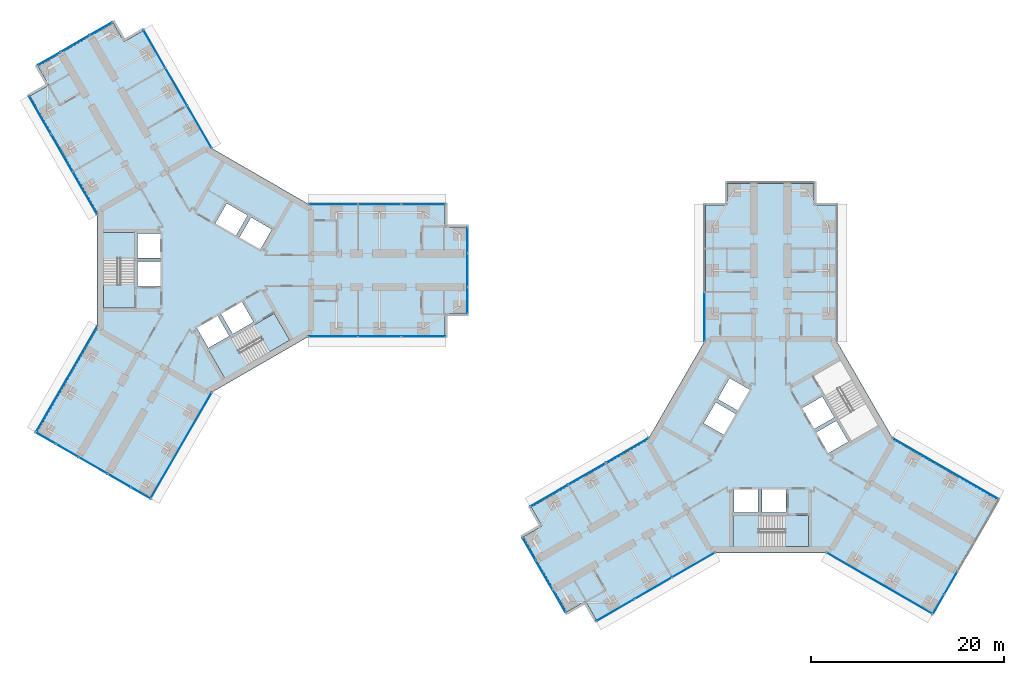
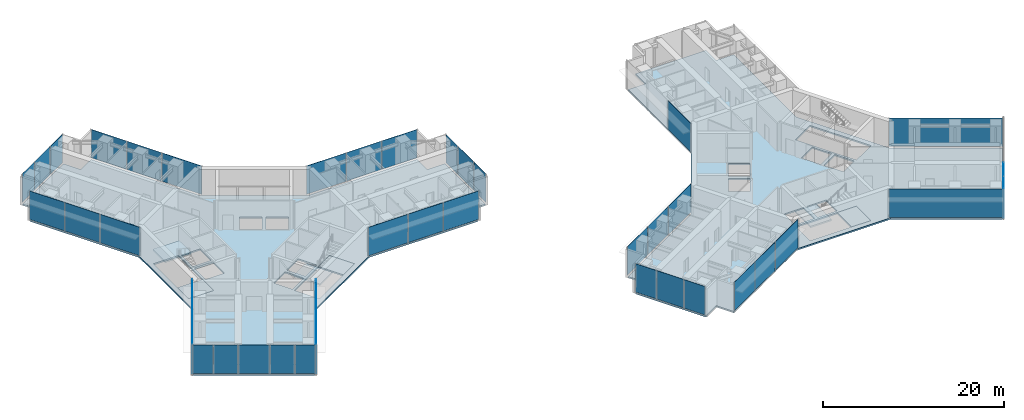
# One storey, part 13 of 22: 39 plates, 8 slabs, 19 elements without a shape of their own.
"""IFC4 building model written with IfcOpenShell, lengths in metres."""

from ifc_helpers import new_model, si_unit, direction, frame, origin, origin_2d, place, context, subcontext, project, spatial, polyline, rectangle, outline, extrude, material, layer, layer_set, type_object, element, aggregate, save


model = new_model("IFC4")

# Units and contexts
model_context = context("Model", 3, precision=1e-05, world=origin(), true_north=direction((0.0, 1.0)))
body_context = subcontext(model_context, "Body", "Model", "MODEL_VIEW")
ifc_project = project(units=[si_unit("LENGTHUNIT", "METRE"), si_unit("AREAUNIT", "SQUARE_METRE"), si_unit("VOLUMEUNIT", "CUBIC_METRE"), si_unit("PLANEANGLEUNIT", "RADIAN"), si_unit("MASSUNIT", "GRAM", prefix="KILO")], contexts=[model_context])

# Site, building, storey
site_placement = place(None, origin())
site = spatial("IfcSite", under=ifc_project, at=site_placement, CompositionType="ELEMENT")
building_placement = place(site_placement, origin())
building = spatial("IfcBuilding", under=site, at=building_placement, Name="Upepo Twin Towers", CompositionType="ELEMENT")
storey_placement = place(building_placement, frame((0.0, 0.0, 129.5)))
storey = spatial("IfcBuildingStorey", under=building, at=storey_placement, Name="L31", CompositionType="ELEMENT", Elevation=129.5)

# Curtain wall, plates
ifc_material_1 = material(Name="Aluminium and fritted glass", Category="aluminium")
curtain_wall_type = type_object("IfcCurtainWallType", Name="Tower curtain wall TW2, fritted glass", PredefinedType="NOTDEFINED", material=ifc_material_1)
curtain_wall_1_placement = place(storey_placement, origin())
curtain_wall_1 = element("IfcCurtainWall", 1, at=curtain_wall_1_placement, inside=storey, type_object=curtain_wall_type, Name="T1 L31 wing A flank L curtain wall", PredefinedType="NOTDEFINED")
ifc_material_2 = material(Name="Ceramic-fritted laminated glass", Category="glass")
ifc_layer_1 = layer(ifc_material_2, 0.031982421875)
ifc_layer_set_1 = layer_set([ifc_layer_1], Name="Fritted glass panel, 40 per cent dot frit, 32 mm double glazed")
plate_type_1 = type_object("IfcPlateType", Name="Fritted glass panel, 40 per cent dot frit, 32 mm double glazed", PredefinedType="CURTAIN_PANEL", material=ifc_layer_set_1)
plate_1_placement = place(storey_placement, frame((13.184814453125, 6.85009765625, 0.14990234375), z_axis=(0.0, 0.0, 1.0), x_axis=(1.0, 0.0, 0.0)))
plate_1 = element("IfcPlate", 2, at=plate_1_placement, type_object=plate_type_1, Name="T1 L31 wing A flank L curtain wall panel 1", PredefinedType="CURTAIN_PANEL", context=body_context, shape_type="SweptSolid", body=[
    extrude(rectangle(XDim=5.0654296875, YDim=0.031982421875, at=origin_2d()), origin(), (0.0, 0.0, 1.0), 3.85009765625),
])
plate_2_placement = place(storey_placement, frame((18.0, 6.85009765625, 0.14990234375), z_axis=(0.0, 0.0, 1.0), x_axis=(1.0, 0.0, 0.0)))
plate_2 = element("IfcPlate", 3, at=plate_2_placement, type_object=plate_type_1, Name="T1 L31 wing A flank L curtain wall panel 2", PredefinedType="CURTAIN_PANEL", context=body_context, shape_type="SweptSolid", body=[
    extrude(rectangle(XDim=4.43505859375, YDim=0.031982421875, at=origin_2d()), origin(), (0.0, 0.0, 1.0), 3.85009765625),
])
plate_3_placement = place(storey_placement, frame((22.53369140625, 6.85009765625, 0.14990234375), z_axis=(0.0, 0.0, 1.0), x_axis=(1.0, 0.0, 0.0)))
plate_3 = element("IfcPlate", 4, at=plate_3_placement, type_object=plate_type_1, Name="T1 L31 wing A flank L curtain wall panel 3", PredefinedType="CURTAIN_PANEL", context=body_context, shape_type="SweptSolid", body=[
    extrude(rectangle(XDim=4.50244140625, YDim=0.031982421875, at=origin_2d()), origin(), (0.0, 0.0, 1.0), 3.85009765625),
])
aggregate(curtain_wall_1, [plate_1, plate_2, plate_3])

curtain_wall_2_placement = place(storey_placement, origin())
curtain_wall_2 = element("IfcCurtainWall", 5, at=curtain_wall_2_placement, inside=storey, type_object=curtain_wall_type, Name="T1 L31 wing A flank R curtain wall", PredefinedType="NOTDEFINED")
plate_4_placement = place(storey_placement, frame((22.53369140625, -6.85009765625, 0.14990234375), z_axis=(0.0, 0.0, 1.0), x_axis=(-1.0, 0.0, 0.0)))
plate_4 = element("IfcPlate", 6, at=plate_4_placement, type_object=plate_type_1, Name="T1 L31 wing A flank R curtain wall panel 1", PredefinedType="CURTAIN_PANEL", context=body_context, shape_type="SweptSolid", body=[
    extrude(rectangle(XDim=4.50244140625, YDim=0.031982421875, at=origin_2d()), origin(), (0.0, 0.0, 1.0), 3.85009765625),
])
plate_5_placement = place(storey_placement, frame((18.0, -6.85009765625, 0.14990234375), z_axis=(0.0, 0.0, 1.0), x_axis=(-1.0, 0.0, 0.0)))
plate_5 = element("IfcPlate", 7, at=plate_5_placement, type_object=plate_type_1, Name="T1 L31 wing A flank R curtain wall panel 2", PredefinedType="CURTAIN_PANEL", context=body_context, shape_type="SweptSolid", body=[
    extrude(rectangle(XDim=4.43505859375, YDim=0.031982421875, at=origin_2d()), origin(), (0.0, 0.0, 1.0), 3.85009765625),
])
plate_6_placement = place(storey_placement, frame((13.184814453125, -6.85009765625, 0.14990234375), z_axis=(0.0, 0.0, 1.0), x_axis=(-1.0, 0.0, 0.0)))
plate_6 = element("IfcPlate", 8, at=plate_6_placement, type_object=plate_type_1, Name="T1 L31 wing A flank R curtain wall panel 3", PredefinedType="CURTAIN_PANEL", context=body_context, shape_type="SweptSolid", body=[
    extrude(rectangle(XDim=5.0654296875, YDim=0.031982421875, at=origin_2d()), origin(), (0.0, 0.0, 1.0), 3.85009765625),
])
aggregate(curtain_wall_2, [plate_4, plate_5, plate_6])

# Curtain wall, plate
curtain_wall_3_placement = place(storey_placement, origin())
curtain_wall_3 = element("IfcCurtainWall", 9, at=curtain_wall_3_placement, inside=storey, type_object=curtain_wall_type, Name="T1 L31 wing A nose curtain wall", PredefinedType="NOTDEFINED")
plate_7_placement = place(storey_placement, frame((27.10009765625, 0.0, 0.14990234375), z_axis=(0.0, 0.0, 1.0), x_axis=(0.0, 1.0, 0.0)))
plate_7 = element("IfcPlate", 10, at=plate_7_placement, type_object=plate_type_1, Name="T1 L31 wing A nose curtain wall panel 2", PredefinedType="CURTAIN_PANEL", context=body_context, shape_type="SweptSolid", body=[
    extrude(rectangle(XDim=3.43505859375, YDim=0.031982421875, at=origin_2d()), origin(), (0.0, 0.0, 1.0), 3.85009765625),
])

# Curtain wall, plates
curtain_wall_4_placement = place(storey_placement, origin())
curtain_wall_4 = element("IfcCurtainWall", 11, at=curtain_wall_4_placement, inside=storey, type_object=curtain_wall_type, Name="T1 L31 wing B flank L curtain wall", PredefinedType="NOTDEFINED")
plate_8_placement = place(storey_placement, frame((-12.524658203125, 7.993408203125, 0.14990234375), z_axis=(0.0, 0.0, 1.0), x_axis=(-0.500000010308, 0.866025397833, 0.0)))
plate_8 = element("IfcPlate", 12, at=plate_8_placement, type_object=plate_type_1, Name="T1 L31 wing B flank L curtain wall panel 1", PredefinedType="CURTAIN_PANEL", context=body_context, shape_type="SweptSolid", body=[
    extrude(rectangle(XDim=5.0654296875, YDim=0.031982421875, at=origin_2d()), origin(), (0.0, 0.0, 1.0), 3.85009765625),
])
plate_9_placement = place(storey_placement, frame((-14.932373046875, 12.16357421875, 0.14990234375), z_axis=(0.0, 0.0, 1.0), x_axis=(-0.500000010308, 0.866025397833, 0.0)))
plate_9 = element("IfcPlate", 13, at=plate_9_placement, type_object=plate_type_1, Name="T1 L31 wing B flank L curtain wall panel 2", PredefinedType="CURTAIN_PANEL", context=body_context, shape_type="SweptSolid", body=[
    extrude(rectangle(XDim=4.43505859375, YDim=0.031982421875, at=origin_2d()), origin(), (0.0, 0.0, 1.0), 3.85009765625),
])
plate_10_placement = place(storey_placement, frame((-17.19921875, 16.08984375, 0.14990234375), z_axis=(0.0, 0.0, 1.0), x_axis=(-0.500000010308, 0.866025397833, 0.0)))
plate_10 = element("IfcPlate", 14, at=plate_10_placement, type_object=plate_type_1, Name="T1 L31 wing B flank L curtain wall panel 3", PredefinedType="CURTAIN_PANEL", context=body_context, shape_type="SweptSolid", body=[
    extrude(rectangle(XDim=4.50244140625, YDim=0.031982421875, at=origin_2d()), origin(), (0.0, 0.0, 1.0), 3.85009765625),
])
aggregate(curtain_wall_4, [plate_8, plate_9, plate_10])

curtain_wall_5_placement = place(storey_placement, origin())
curtain_wall_5 = element("IfcCurtainWall", 15, at=curtain_wall_5_placement, inside=storey, type_object=curtain_wall_type, Name="T1 L31 wing B flank R curtain wall", PredefinedType="NOTDEFINED")
plate_11_placement = place(storey_placement, frame((-5.334716796875, 22.939697265625, 0.14990234375), z_axis=(0.0, 0.0, 1.0), x_axis=(0.500000010308, -0.866025397833, 0.0)))
plate_11 = element("IfcPlate", 16, at=plate_11_placement, type_object=plate_type_1, Name="T1 L31 wing B flank R curtain wall panel 1", PredefinedType="CURTAIN_PANEL", context=body_context, shape_type="SweptSolid", body=[
    extrude(rectangle(XDim=4.50244140625, YDim=0.031982421875, at=origin_2d()), origin(), (0.0, 0.0, 1.0), 3.85009765625),
])
plate_12_placement = place(storey_placement, frame((-3.067626953125, 19.013427734375, 0.14990234375), z_axis=(0.0, 0.0, 1.0), x_axis=(0.500000010308, -0.866025397833, 0.0)))
plate_12 = element("IfcPlate", 17, at=plate_12_placement, type_object=plate_type_1, Name="T1 L31 wing B flank R curtain wall panel 2", PredefinedType="CURTAIN_PANEL", context=body_context, shape_type="SweptSolid", body=[
    extrude(rectangle(XDim=4.43505859375, YDim=0.031982421875, at=origin_2d()), origin(), (0.0, 0.0, 1.0), 3.85009765625),
])
plate_13_placement = place(storey_placement, frame((-0.66015625, 14.84326171875, 0.14990234375), z_axis=(0.0, 0.0, 1.0), x_axis=(0.500000010308, -0.866025397833, 0.0)))
plate_13 = element("IfcPlate", 18, at=plate_13_placement, type_object=plate_type_1, Name="T1 L31 wing B flank R curtain wall panel 3", PredefinedType="CURTAIN_PANEL", context=body_context, shape_type="SweptSolid", body=[
    extrude(rectangle(XDim=5.0654296875, YDim=0.031982421875, at=origin_2d()), origin(), (0.0, 0.0, 1.0), 3.85009765625),
])
aggregate(curtain_wall_5, [plate_11, plate_12, plate_13])

# Curtain wall, plate
curtain_wall_6_placement = place(storey_placement, origin())
curtain_wall_6 = element("IfcCurtainWall", 19, at=curtain_wall_6_placement, inside=storey, type_object=curtain_wall_type, Name="T1 L31 wing B nose curtain wall", PredefinedType="NOTDEFINED")
plate_14_placement = place(storey_placement, frame((-13.550048828125, 23.46923828125, 0.14990234375), z_axis=(0.0, 0.0, 1.0), x_axis=(-0.866025386174, -0.500000030502, 0.0)))
plate_14 = element("IfcPlate", 20, at=plate_14_placement, type_object=plate_type_1, Name="T1 L31 wing B nose curtain wall panel 2", PredefinedType="CURTAIN_PANEL", context=body_context, shape_type="SweptSolid", body=[
    extrude(rectangle(XDim=3.43505859375, YDim=0.031982421875, at=origin_2d()), origin(), (0.0, 0.0, 1.0), 3.85009765625),
])

curtain_wall_7_placement = place(storey_placement, origin())
curtain_wall_7 = element("IfcCurtainWall", 21, at=curtain_wall_7_placement, inside=storey, type_object=curtain_wall_type, Name="T1 L31 wing C flank L curtain wall", PredefinedType="NOTDEFINED")
plate_15_placement = place(storey_placement, frame((-2.552001953125, -18.1201171875, 0.14990234375), z_axis=(0.0, 0.0, 1.0), x_axis=(-0.50000000792, -0.866025399212, 0.0)))
plate_15 = element("IfcPlate", 22, at=plate_15_placement, type_object=plate_type_1, Name="T1 L31 wing C flank L curtain wall panel 1", PredefinedType="CURTAIN_PANEL", context=body_context, shape_type="SweptSolid", body=[
    extrude(rectangle(XDim=12.6328125, YDim=0.031982421875, at=origin_2d()), origin(), (0.0, 0.0, 1.0), 3.85009765625),
])
aggregate(curtain_wall_7, [plate_15])

curtain_wall_8_placement = place(storey_placement, origin())
curtain_wall_8 = element("IfcCurtainWall", 23, at=curtain_wall_8_placement, inside=storey, type_object=curtain_wall_type, Name="T1 L31 wing C flank R curtain wall", PredefinedType="NOTDEFINED")
plate_16_placement = place(storey_placement, frame((-14.41650390625, -11.270263671875, 0.14990234375), z_axis=(0.0, 0.0, 1.0), x_axis=(0.50000000792, 0.866025399212, 0.0)))
plate_16 = element("IfcPlate", 24, at=plate_16_placement, type_object=plate_type_1, Name="T1 L31 wing C flank R curtain wall panel 1", PredefinedType="CURTAIN_PANEL", context=body_context, shape_type="SweptSolid", body=[
    extrude(rectangle(XDim=12.6328125, YDim=0.031982421875, at=origin_2d()), origin(), (0.0, 0.0, 1.0), 3.85009765625),
])
aggregate(curtain_wall_8, [plate_16])

# Curtain wall, plates
curtain_wall_9_placement = place(storey_placement, origin())
curtain_wall_9 = element("IfcCurtainWall", 25, at=curtain_wall_9_placement, inside=storey, type_object=curtain_wall_type, Name="T1 L31 wing C nose curtain wall", PredefinedType="NOTDEFINED")
plate_17_placement = place(storey_placement, frame((-14.38134765625, -18.6591796875, 0.14990234375), z_axis=(0.0, 0.0, 1.0), x_axis=(0.866025419745, -0.499999972355, 0.0)))
plate_17 = element("IfcPlate", 26, at=plate_17_placement, type_object=plate_type_1, Name="T1 L31 wing C nose curtain wall panel 2", PredefinedType="CURTAIN_PANEL", context=body_context, shape_type="SweptSolid", body=[
    extrude(rectangle(XDim=2.68505859375, YDim=0.031982421875, at=origin_2d()), origin(), (0.0, 0.0, 1.0), 3.85009765625),
])
plate_18_placement = place(storey_placement, frame((-11.675048828125, -20.2216796875, 0.14990234375), z_axis=(0.0, 0.0, 1.0), x_axis=(0.866025419745, -0.499999972355, 0.0)))
plate_18 = element("IfcPlate", 27, at=plate_18_placement, type_object=plate_type_1, Name="T1 L31 wing C nose curtain wall panel 3", PredefinedType="CURTAIN_PANEL", context=body_context, shape_type="SweptSolid", body=[
    extrude(rectangle(XDim=3.43505859375, YDim=0.031982421875, at=origin_2d()), origin(), (0.0, 0.0, 1.0), 3.85009765625),
])
plate_19_placement = place(storey_placement, frame((-8.96875, -21.7841796875, 0.14990234375), z_axis=(0.0, 0.0, 1.0), x_axis=(0.866025419745, -0.499999972355, 0.0)))
plate_19 = element("IfcPlate", 28, at=plate_19_placement, type_object=plate_type_1, Name="T1 L31 wing C nose curtain wall panel 4", PredefinedType="CURTAIN_PANEL", context=body_context, shape_type="SweptSolid", body=[
    extrude(rectangle(XDim=2.68505859375, YDim=0.031982421875, at=origin_2d()), origin(), (0.0, 0.0, 1.0), 3.85009765625),
])

# Curtain wall, plate
curtain_wall_10_placement = place(storey_placement, origin())
curtain_wall_10 = element("IfcCurtainWall", 29, at=curtain_wall_10_placement, inside=storey, type_object=curtain_wall_type, Name="T2 L31 wing A flank L curtain wall", PredefinedType="NOTDEFINED")
plate_20_placement = place(storey_placement, frame((51.64990234375, -4.815185546875, 0.14990234375), z_axis=(0.0, 0.0, 1.0), x_axis=(0.0, 1.0, 0.0)))
plate_20 = element("IfcPlate", 30, at=plate_20_placement, type_object=plate_type_1, Name="T2 L31 wing A flank L curtain wall panel 1", PredefinedType="CURTAIN_PANEL", context=body_context, shape_type="SweptSolid", body=[
    extrude(rectangle(XDim=5.0654296875, YDim=0.031982421875, at=origin_2d()), origin(), (0.0, 0.0, 1.0), 3.85009765625),
])
aggregate(curtain_wall_10, [plate_20])

# Curtain wall, plates
curtain_wall_11_placement = place(storey_placement, origin())
curtain_wall_11 = element("IfcCurtainWall", 31, at=curtain_wall_11_placement, inside=storey, type_object=curtain_wall_type, Name="T2 L31 wing B flank L curtain wall", PredefinedType="NOTDEFINED")
plate_21_placement = place(storey_placement, frame((50.506591796875, -30.524658203125, 0.14990234375), z_axis=(0.0, 0.0, 1.0), x_axis=(-0.866025397833, -0.500000010308, 0.0)))
plate_21 = element("IfcPlate", 32, at=plate_21_placement, type_object=plate_type_1, Name="T2 L31 wing B flank L curtain wall panel 1", PredefinedType="CURTAIN_PANEL", context=body_context, shape_type="SweptSolid", body=[
    extrude(rectangle(XDim=5.0654296875, YDim=0.031982421875, at=origin_2d()), origin(), (0.0, 0.0, 1.0), 3.85009765625),
])
plate_22_placement = place(storey_placement, frame((46.33642578125, -32.932373046875, 0.14990234375), z_axis=(0.0, 0.0, 1.0), x_axis=(-0.866025397833, -0.500000010308, 0.0)))
plate_22 = element("IfcPlate", 33, at=plate_22_placement, type_object=plate_type_1, Name="T2 L31 wing B flank L curtain wall panel 2", PredefinedType="CURTAIN_PANEL", context=body_context, shape_type="SweptSolid", body=[
    extrude(rectangle(XDim=4.43505859375, YDim=0.031982421875, at=origin_2d()), origin(), (0.0, 0.0, 1.0), 3.85009765625),
])
plate_23_placement = place(storey_placement, frame((42.41015625, -35.19921875, 0.14990234375), z_axis=(0.0, 0.0, 1.0), x_axis=(-0.866025397833, -0.500000010308, 0.0)))
plate_23 = element("IfcPlate", 34, at=plate_23_placement, type_object=plate_type_1, Name="T2 L31 wing B flank L curtain wall panel 3", PredefinedType="CURTAIN_PANEL", context=body_context, shape_type="SweptSolid", body=[
    extrude(rectangle(XDim=4.50244140625, YDim=0.031982421875, at=origin_2d()), origin(), (0.0, 0.0, 1.0), 3.85009765625),
])
aggregate(curtain_wall_11, [plate_21, plate_22, plate_23])

curtain_wall_12_placement = place(storey_placement, origin())
curtain_wall_12 = element("IfcCurtainWall", 35, at=curtain_wall_12_placement, inside=storey, type_object=curtain_wall_type, Name="T2 L31 wing B flank R curtain wall", PredefinedType="NOTDEFINED")
plate_24_placement = place(storey_placement, frame((35.560302734375, -23.334716796875, 0.14990234375), z_axis=(0.0, 0.0, 1.0), x_axis=(0.866025397833, 0.500000010308, 0.0)))
plate_24 = element("IfcPlate", 36, at=plate_24_placement, type_object=plate_type_1, Name="T2 L31 wing B flank R curtain wall panel 1", PredefinedType="CURTAIN_PANEL", context=body_context, shape_type="SweptSolid", body=[
    extrude(rectangle(XDim=4.50244140625, YDim=0.031982421875, at=origin_2d()), origin(), (0.0, 0.0, 1.0), 3.85009765625),
])
plate_25_placement = place(storey_placement, frame((39.486572265625, -21.067626953125, 0.14990234375), z_axis=(0.0, 0.0, 1.0), x_axis=(0.866025397833, 0.500000010308, 0.0)))
plate_25 = element("IfcPlate", 37, at=plate_25_placement, type_object=plate_type_1, Name="T2 L31 wing B flank R curtain wall panel 2", PredefinedType="CURTAIN_PANEL", context=body_context, shape_type="SweptSolid", body=[
    extrude(rectangle(XDim=4.43505859375, YDim=0.031982421875, at=origin_2d()), origin(), (0.0, 0.0, 1.0), 3.85009765625),
])
plate_26_placement = place(storey_placement, frame((43.65673828125, -18.66015625, 0.14990234375), z_axis=(0.0, 0.0, 1.0), x_axis=(0.866025397833, 0.500000010308, 0.0)))
plate_26 = element("IfcPlate", 38, at=plate_26_placement, type_object=plate_type_1, Name="T2 L31 wing B flank R curtain wall panel 3", PredefinedType="CURTAIN_PANEL", context=body_context, shape_type="SweptSolid", body=[
    extrude(rectangle(XDim=5.0654296875, YDim=0.031982421875, at=origin_2d()), origin(), (0.0, 0.0, 1.0), 3.85009765625),
])
aggregate(curtain_wall_12, [plate_24, plate_25, plate_26])

# Curtain wall, plate
curtain_wall_13_placement = place(storey_placement, origin())
curtain_wall_13 = element("IfcCurtainWall", 39, at=curtain_wall_13_placement, inside=storey, type_object=curtain_wall_type, Name="T2 L31 wing B nose curtain wall", PredefinedType="NOTDEFINED")
plate_27_placement = place(storey_placement, frame((35.03076171875, -31.550048828125, 0.14990234375), z_axis=(0.0, 0.0, 1.0), x_axis=(0.500000030502, -0.866025386174, 0.0)))
plate_27 = element("IfcPlate", 40, at=plate_27_placement, type_object=plate_type_1, Name="T2 L31 wing B nose curtain wall panel 2", PredefinedType="CURTAIN_PANEL", context=body_context, shape_type="SweptSolid", body=[
    extrude(rectangle(XDim=3.43505859375, YDim=0.031982421875, at=origin_2d()), origin(), (0.0, 0.0, 1.0), 3.85009765625),
])

curtain_wall_14_placement = place(storey_placement, origin())
curtain_wall_14 = element("IfcCurtainWall", 41, at=curtain_wall_14_placement, inside=storey, type_object=curtain_wall_type, Name="T2 L31 wing C flank L curtain wall", PredefinedType="NOTDEFINED")
plate_28_placement = place(storey_placement, frame((76.6201171875, -20.552001953125, 0.14990234375), z_axis=(0.0, 0.0, 1.0), x_axis=(0.866025399212, -0.50000000792, 0.0)))
plate_28 = element("IfcPlate", 42, at=plate_28_placement, type_object=plate_type_1, Name="T2 L31 wing C flank L curtain wall panel 1", PredefinedType="CURTAIN_PANEL", context=body_context, shape_type="SweptSolid", body=[
    extrude(rectangle(XDim=12.6328125, YDim=0.031982421875, at=origin_2d()), origin(), (0.0, 0.0, 1.0), 3.85009765625),
])
aggregate(curtain_wall_14, [plate_28])

curtain_wall_15_placement = place(storey_placement, origin())
curtain_wall_15 = element("IfcCurtainWall", 43, at=curtain_wall_15_placement, inside=storey, type_object=curtain_wall_type, Name="T2 L31 wing C flank R curtain wall", PredefinedType="NOTDEFINED")
plate_29_placement = place(storey_placement, frame((69.770263671875, -32.41650390625, 0.14990234375), z_axis=(0.0, 0.0, 1.0), x_axis=(-0.866025399212, 0.50000000792, 0.0)))
plate_29 = element("IfcPlate", 44, at=plate_29_placement, type_object=plate_type_1, Name="T2 L31 wing C flank R curtain wall panel 1", PredefinedType="CURTAIN_PANEL", context=body_context, shape_type="SweptSolid", body=[
    extrude(rectangle(XDim=12.6328125, YDim=0.031982421875, at=origin_2d()), origin(), (0.0, 0.0, 1.0), 3.85009765625),
])
aggregate(curtain_wall_15, [plate_29])

curtain_wall_16_placement = place(storey_placement, origin())
curtain_wall_16 = element("IfcCurtainWall", 45, at=curtain_wall_16_placement, inside=storey, type_object=curtain_wall_type, Name="T2 L31 wing C nose curtain wall", PredefinedType="NOTDEFINED")
plate_30_placement = place(storey_placement, frame((77.1591796875, -32.38134765625, 0.14990234375), z_axis=(0.0, 0.0, 1.0), x_axis=(0.499999972355, 0.866025419745, 0.0)))
plate_30 = element("IfcPlate", 46, at=plate_30_placement, type_object=plate_type_1, Name="T2 L31 wing C nose curtain wall panel 2", PredefinedType="CURTAIN_PANEL", context=body_context, shape_type="SweptSolid", body=[
    extrude(rectangle(XDim=2.68505859375, YDim=0.031982421875, at=origin_2d()), origin(), (0.0, 0.0, 1.0), 3.85009765625),
])

# Plate
ifc_material_3 = material(Name="Clear laminated glass in opening sash", Category="glass")
ifc_layer_2 = layer(ifc_material_3, 0.031982421875)
ifc_layer_set_2 = layer_set([ifc_layer_2], Name="Operable glass panel, 32 mm double glazed")
plate_type_2 = type_object("IfcPlateType", Name="Operable glass panel, 32 mm double glazed", PredefinedType="CURTAIN_PANEL", material=ifc_layer_set_2)
plate_31_placement = place(storey_placement, frame((27.10009765625, -3.108642578125, 0.14990234375), z_axis=(0.0, 0.0, 1.0), x_axis=(0.0, 1.0, 0.0)))
plate_31 = element("IfcPlate", 47, at=plate_31_placement, type_object=plate_type_2, Name="T1 L31 wing A nose curtain wall panel 1", PredefinedType="CURTAIN_PANEL", context=body_context, shape_type="SweptSolid", body=[
    extrude(rectangle(XDim=2.652587890625, YDim=0.031982421875, at=origin_2d()), origin(), (0.0, 0.0, 1.0), 3.85009765625),
])

plate_32_placement = place(storey_placement, frame((27.10009765625, 3.108642578125, 0.14990234375), z_axis=(0.0, 0.0, 1.0), x_axis=(0.0, 1.0, 0.0)))
plate_32 = element("IfcPlate", 48, at=plate_32_placement, type_object=plate_type_2, Name="T1 L31 wing A nose curtain wall panel 3", PredefinedType="CURTAIN_PANEL", context=body_context, shape_type="SweptSolid", body=[
    extrude(rectangle(XDim=2.652587890625, YDim=0.031982421875, at=origin_2d()), origin(), (0.0, 0.0, 1.0), 3.85009765625),
])

aggregate(curtain_wall_3, [plate_31, plate_7, plate_32])

plate_33_placement = place(storey_placement, frame((-10.857666015625, 25.023681640625, 0.14990234375), z_axis=(0.0, 0.0, 1.0), x_axis=(-0.866025386174, -0.500000030502, 0.0)))
plate_33 = element("IfcPlate", 49, at=plate_33_placement, type_object=plate_type_2, Name="T1 L31 wing B nose curtain wall panel 1", PredefinedType="CURTAIN_PANEL", context=body_context, shape_type="SweptSolid", body=[
    extrude(rectangle(XDim=2.652587890625, YDim=0.031982421875, at=origin_2d()), origin(), (0.0, 0.0, 1.0), 3.85009765625),
])

plate_34_placement = place(storey_placement, frame((-16.2421875, 21.914794921875, 0.14990234375), z_axis=(0.0, 0.0, 1.0), x_axis=(-0.866025386174, -0.500000030502, 0.0)))
plate_34 = element("IfcPlate", 50, at=plate_34_placement, type_object=plate_type_2, Name="T1 L31 wing B nose curtain wall panel 3", PredefinedType="CURTAIN_PANEL", context=body_context, shape_type="SweptSolid", body=[
    extrude(rectangle(XDim=2.652587890625, YDim=0.031982421875, at=origin_2d()), origin(), (0.0, 0.0, 1.0), 3.85009765625),
])

aggregate(curtain_wall_6, [plate_33, plate_14, plate_34])

plate_35_placement = place(storey_placement, frame((-16.618896484375, -17.367431640625, 0.14990234375), z_axis=(0.0, 0.0, 1.0), x_axis=(0.866025419745, -0.499999972355, 0.0)))
plate_35 = element("IfcPlate", 51, at=plate_35_placement, type_object=plate_type_2, Name="T1 L31 wing C nose curtain wall panel 1", PredefinedType="CURTAIN_PANEL", context=body_context, shape_type="SweptSolid", body=[
    extrude(rectangle(XDim=2.3525390625, YDim=0.031982421875, at=origin_2d()), origin(), (0.0, 0.0, 1.0), 3.85009765625),
])

plate_36_placement = place(storey_placement, frame((-6.73095703125, -23.076171875, 0.14990234375), z_axis=(0.0, 0.0, 1.0), x_axis=(0.866025419745, -0.499999972355, 0.0)))
plate_36 = element("IfcPlate", 52, at=plate_36_placement, type_object=plate_type_2, Name="T1 L31 wing C nose curtain wall panel 5", PredefinedType="CURTAIN_PANEL", context=body_context, shape_type="SweptSolid", body=[
    extrude(rectangle(XDim=2.3525390625, YDim=0.031982421875, at=origin_2d()), origin(), (0.0, 0.0, 1.0), 3.85009765625),
])

aggregate(curtain_wall_9, [plate_35, plate_17, plate_18, plate_19, plate_36])

plate_37_placement = place(storey_placement, frame((33.476318359375, -28.857666015625, 0.14990234375), z_axis=(0.0, 0.0, 1.0), x_axis=(0.500000030502, -0.866025386174, 0.0)))
plate_37 = element("IfcPlate", 53, at=plate_37_placement, type_object=plate_type_2, Name="T2 L31 wing B nose curtain wall panel 1", PredefinedType="CURTAIN_PANEL", context=body_context, shape_type="SweptSolid", body=[
    extrude(rectangle(XDim=2.652587890625, YDim=0.031982421875, at=origin_2d()), origin(), (0.0, 0.0, 1.0), 3.85009765625),
])

plate_38_placement = place(storey_placement, frame((36.585205078125, -34.2421875, 0.14990234375), z_axis=(0.0, 0.0, 1.0), x_axis=(0.500000030502, -0.866025386174, 0.0)))
plate_38 = element("IfcPlate", 54, at=plate_38_placement, type_object=plate_type_2, Name="T2 L31 wing B nose curtain wall panel 3", PredefinedType="CURTAIN_PANEL", context=body_context, shape_type="SweptSolid", body=[
    extrude(rectangle(XDim=2.652587890625, YDim=0.031982421875, at=origin_2d()), origin(), (0.0, 0.0, 1.0), 3.85009765625),
])

aggregate(curtain_wall_13, [plate_37, plate_27, plate_38])

plate_39_placement = place(storey_placement, frame((75.867431640625, -34.618896484375, 0.14990234375), z_axis=(0.0, 0.0, 1.0), x_axis=(0.499999972355, 0.866025419745, 0.0)))
plate_39 = element("IfcPlate", 55, at=plate_39_placement, type_object=plate_type_2, Name="T2 L31 wing C nose curtain wall panel 1", PredefinedType="CURTAIN_PANEL", context=body_context, shape_type="SweptSolid", body=[
    extrude(rectangle(XDim=2.3525390625, YDim=0.031982421875, at=origin_2d()), origin(), (0.0, 0.0, 1.0), 3.85009765625),
])

aggregate(curtain_wall_16, [plate_39, plate_30])

# Stair, slabs
ifc_material_4 = material(Name="Concrete C40/50", Category="concrete")
stair_type = type_object("IfcStairType", Name="Core stair, two flights", PredefinedType="HALF_TURN_STAIR", material=ifc_material_4)
stair_1_placement = place(storey_placement, origin())
stair_1 = element("IfcStair", 56, at=stair_1_placement, inside=storey, type_object=stair_type, Name="T1 stair S1 L31", PredefinedType="HALF_TURN_STAIR")
ifc_material_5 = material(Name="Concrete C40/50", Category="concrete")
ifc_layer_3 = layer(ifc_material_5, 0.199951171875)
ifc_layer_set_3 = layer_set([ifc_layer_3], Name="Concrete C40/50")
slab_type_1 = type_object("IfcSlabType", Name="Stair landing 200 RC", PredefinedType="LANDING", material=ifc_layer_set_3)
slab_1_placement = place(storey_placement, frame((0.0, 0.0, -0.199951171875)))
slab_1 = element("IfcSlab", 57, at=slab_1_placement, type_object=slab_type_1, Name="Stair S1 landing 1", PredefinedType="LANDING", context=body_context, shape_type="SweptSolid", body=[
    extrude(outline(polyline([(-7.39990234375, -1.419921875), (-10.6083984375, -1.419921875), (-10.6083984375, -3.89990234375), (-7.39990234375, -3.89990234375), (-7.39990234375, -1.419921875)])), origin(), (0.0, 0.0, 1.0), 0.199951171875),
])
slab_2_placement = place(storey_placement, frame((0.0, 0.0, 1.800048828125)))
slab_2 = element("IfcSlab", 58, at=slab_2_placement, type_object=slab_type_1, Name="Stair S1 landing 2", PredefinedType="LANDING", context=body_context, shape_type="SweptSolid", body=[
    extrude(outline(polyline([(-7.300048828125, 3.89990234375), (-10.708251953125, 3.89990234375), (-10.708251953125, 1.179931640625), (-7.300048828125, 1.179931640625), (-7.300048828125, 3.89990234375)])), origin(), (0.0, 0.0, 1.0), 0.199951171875),
])
aggregate(stair_1, [slab_1, slab_2])

stair_2_placement = place(storey_placement, origin())
stair_2 = element("IfcStair", 59, at=stair_2_placement, inside=storey, type_object=stair_type, Name="T1 stair S2 L31", PredefinedType="HALF_TURN_STAIR")
slab_3_placement = place(storey_placement, frame((0.0, 0.0, -0.199951171875)))
slab_3 = element("IfcSlab", 60, at=slab_3_placement, type_object=slab_type_1, Name="Stair S2 landing 1", PredefinedType="LANDING", context=body_context, shape_type="SweptSolid", body=[
    extrude(outline(polyline([(4.9296875, -5.698486328125), (6.533935546875, -8.47705078125), (8.681640625, -7.237060546875), (7.077392578125, -4.45849609375), (4.9296875, -5.698486328125)])), origin(), (0.0, 0.0, 1.0), 0.199951171875),
])
slab_4_placement = place(storey_placement, frame((0.0, 0.0, 1.800048828125)))
slab_4 = element("IfcSlab", 61, at=slab_4_placement, type_object=slab_type_1, Name="Stair S2 landing 2", PredefinedType="LANDING", context=body_context, shape_type="SweptSolid", body=[
    extrude(outline(polyline([(0.2724609375, -8.27197265625), (1.9765625, -11.2236328125), (4.332275390625, -9.86376953125), (2.628173828125, -6.911865234375), (0.2724609375, -8.27197265625)])), origin(), (0.0, 0.0, 1.0), 0.199951171875),
])
aggregate(stair_2, [slab_3, slab_4])

stair_3_placement = place(storey_placement, origin())
stair_3 = element("IfcStair", 62, at=stair_3_placement, inside=storey, type_object=stair_type, Name="T2 stair S1 L31", PredefinedType="HALF_TURN_STAIR")
slab_5_placement = place(storey_placement, frame((0.0, 0.0, -0.199951171875)))
slab_5 = element("IfcSlab", 63, at=slab_5_placement, type_object=slab_type_1, Name="Stair S1 landing 1", PredefinedType="LANDING", context=body_context, shape_type="SweptSolid", body=[
    extrude(outline(polyline([(59.919921875, -25.39990234375), (59.919921875, -28.6083984375), (62.39990234375, -28.6083984375), (62.39990234375, -25.39990234375), (59.919921875, -25.39990234375)])), origin(), (0.0, 0.0, 1.0), 0.199951171875),
])
slab_6_placement = place(storey_placement, frame((0.0, 0.0, 1.800048828125)))
slab_6 = element("IfcSlab", 64, at=slab_6_placement, type_object=slab_type_1, Name="Stair S1 landing 2", PredefinedType="LANDING", context=body_context, shape_type="SweptSolid", body=[
    extrude(outline(polyline([(54.60009765625, -25.300048828125), (54.60009765625, -28.708251953125), (57.320068359375, -28.708251953125), (57.320068359375, -25.300048828125), (54.60009765625, -25.300048828125)])), origin(), (0.0, 0.0, 1.0), 0.199951171875),
])
aggregate(stair_3, [slab_5, slab_6])

# Slabs
ifc_material_6 = material(Name="Concrete C40/50", Category="concrete")
ifc_layer_4 = layer(ifc_material_6, 0.199951171875)
ifc_layer_set_4 = layer_set([ifc_layer_4], Name="Concrete C40/50")
slab_type_2 = type_object("IfcSlabType", Name="Tower floor slab 200 RC", PredefinedType="FLOOR", material=ifc_layer_set_4)
slab_7_placement = place(storey_placement, frame((0.0, 0.0, -0.199951171875)))
element("IfcSlab", 65, at=slab_7_placement, inside=storey, type_object=slab_type_2, Name="T1 L31 floor slab", PredefinedType="FLOOR", context=body_context, shape_type="SweptSolid", body=[
    extrude(outline(polyline([(-17.470703125, -16.760009765625), (-11.25830078125, -6.0), (-11.25830078125, 6.0), (-18.220703125, 18.05908203125), (-16.272216796875, 19.18408203125), (-17.397216796875, 21.132568359375), (-9.602783203125, 25.632568359375), (-8.477783203125, 23.68408203125), (-6.529296875, 24.80908203125), (0.43310546875, 12.75), (10.825439453125, 6.75), (24.75, 6.75), (24.75, 4.5), (27.0, 4.5), (27.0, -4.5), (24.75, -4.5), (24.75, -6.75), (10.825439453125, -6.75), (0.43310546875, -12.75), (-5.779296875, -23.510009765625), (-17.470703125, -16.760009765625)]), holes=[polyline([(5.640869140625, 2.17041015625), (6.8408203125, 4.248779296875), (4.67578125, 5.498779296875), (3.475830078125, 3.42041015625), (5.640869140625, 2.17041015625)]), polyline([(3.12939453125, 3.620361328125), (4.329345703125, 5.69873046875), (2.164306640625, 6.94873046875), (0.96435546875, 4.870361328125), (3.12939453125, 3.620361328125)]), polyline([(-4.699951171875, 3.800048828125), (-7.10009765625, 3.800048828125), (-7.10009765625, 1.300048828125), (-4.699951171875, 1.300048828125), (-4.699951171875, 3.800048828125)]), polyline([(-4.699951171875, 0.89990234375), (-7.10009765625, 0.89990234375), (-7.10009765625, -1.60009765625), (-4.699951171875, -1.60009765625), (-4.699951171875, 0.89990234375)]), polyline([(-7.39990234375, 3.89990234375), (-10.6083984375, 3.89990234375), (-10.6083984375, -3.89990234375), (-7.39990234375, -3.89990234375), (-7.39990234375, 3.89990234375)]), polyline([(-0.94091796875, -5.97021484375), (0.259033203125, -8.048828125), (2.424072265625, -6.798828125), (1.22412109375, -4.72021484375), (-0.94091796875, -5.97021484375)]), polyline([(1.570556640625, -4.520263671875), (2.7705078125, -6.598876953125), (4.935546875, -5.348876953125), (3.735595703125, -3.270263671875), (1.570556640625, -4.520263671875)]), polyline([(0.322509765625, -8.358642578125), (1.9267578125, -11.136962890625), (8.681640625, -7.237060546875), (7.077392578125, -4.45849609375), (0.322509765625, -8.358642578125)])]), origin(), (0.0, 0.0, 1.0), 0.199951171875),
])
slab_8_placement = place(storey_placement, frame((0.0, 0.0, -0.199951171875)))
element("IfcSlab", 66, at=slab_8_placement, inside=storey, type_object=slab_type_2, Name="T2 L31 floor slab", PredefinedType="FLOOR", context=body_context, shape_type="SweptSolid", body=[
    extrude(outline(polyline([(75.260009765625, -35.470703125), (64.5, -29.25830078125), (52.5, -29.25830078125), (40.44091796875, -36.220703125), (39.31591796875, -34.272216796875), (37.367431640625, -35.397216796875), (32.867431640625, -27.602783203125), (34.81591796875, -26.477783203125), (33.69091796875, -24.529296875), (45.75, -17.56689453125), (51.75, -7.174560546875), (51.75, 6.75), (54.0, 6.75), (54.0, 9.0), (63.0, 9.0), (63.0, 6.75), (65.25, 6.75), (65.25, -7.174560546875), (71.25, -17.56689453125), (82.010009765625, -23.779296875), (75.260009765625, -35.470703125)]), holes=[polyline([(56.32958984375, -12.359130859375), (54.251220703125, -11.1591796875), (53.001220703125, -13.32421875), (55.07958984375, -14.524169921875), (56.32958984375, -12.359130859375)]), polyline([(54.879638671875, -14.87060546875), (52.80126953125, -13.670654296875), (51.55126953125, -15.835693359375), (53.629638671875, -17.03564453125), (54.879638671875, -14.87060546875)]), polyline([(54.699951171875, -22.699951171875), (54.699951171875, -25.10009765625), (57.199951171875, -25.10009765625), (57.199951171875, -22.699951171875), (54.699951171875, -22.699951171875)]), polyline([(57.60009765625, -22.699951171875), (57.60009765625, -25.10009765625), (60.10009765625, -25.10009765625), (60.10009765625, -22.699951171875), (57.60009765625, -22.699951171875)]), polyline([(54.60009765625, -25.39990234375), (54.60009765625, -28.6083984375), (62.39990234375, -28.6083984375), (62.39990234375, -25.39990234375), (54.60009765625, -25.39990234375)]), polyline([(64.47021484375, -18.94091796875), (66.548828125, -17.740966796875), (65.298828125, -15.575927734375), (63.22021484375, -16.77587890625), (64.47021484375, -18.94091796875)]), polyline([(63.020263671875, -16.429443359375), (65.098876953125, -15.2294921875), (63.848876953125, -13.064453125), (61.770263671875, -14.264404296875), (63.020263671875, -16.429443359375)]), polyline([(66.858642578125, -17.677490234375), (69.636962890625, -16.0732421875), (65.737060546875, -9.318359375), (62.95849609375, -10.922607421875), (66.858642578125, -17.677490234375)])]), origin(), (0.0, 0.0, 1.0), 0.199951171875),
])

save(model, "model.ifc")
